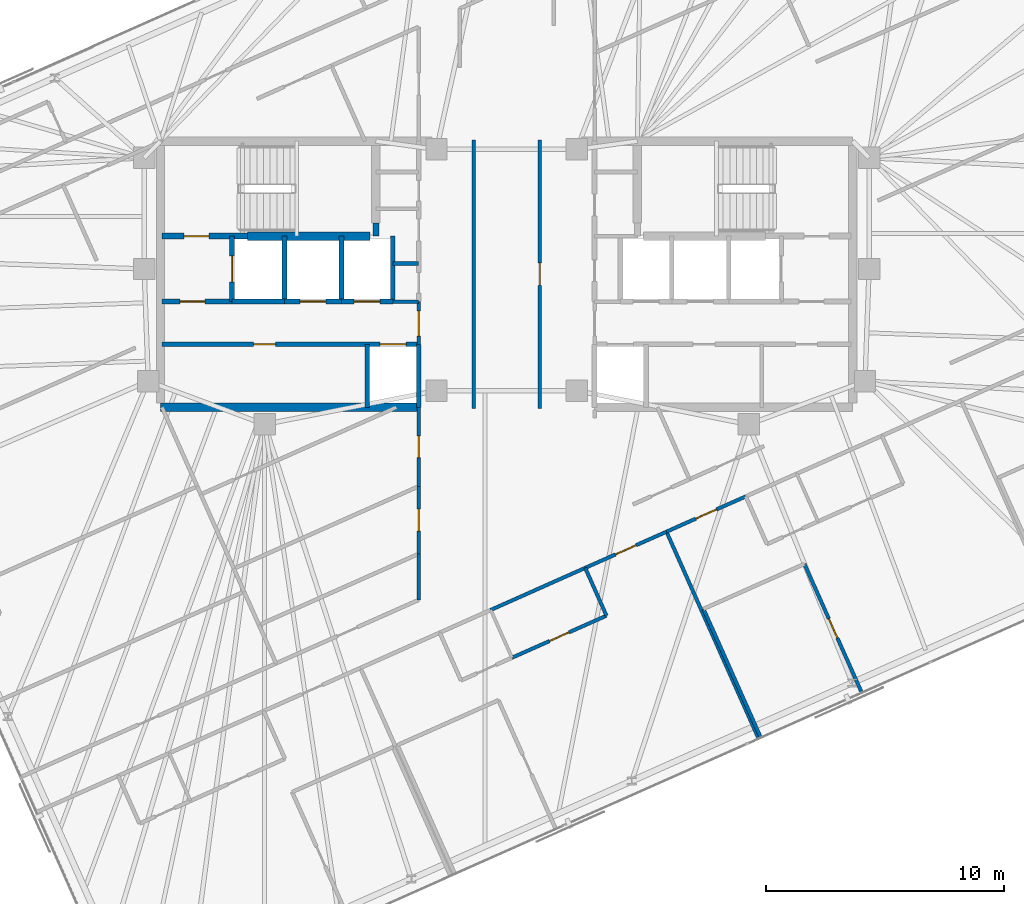
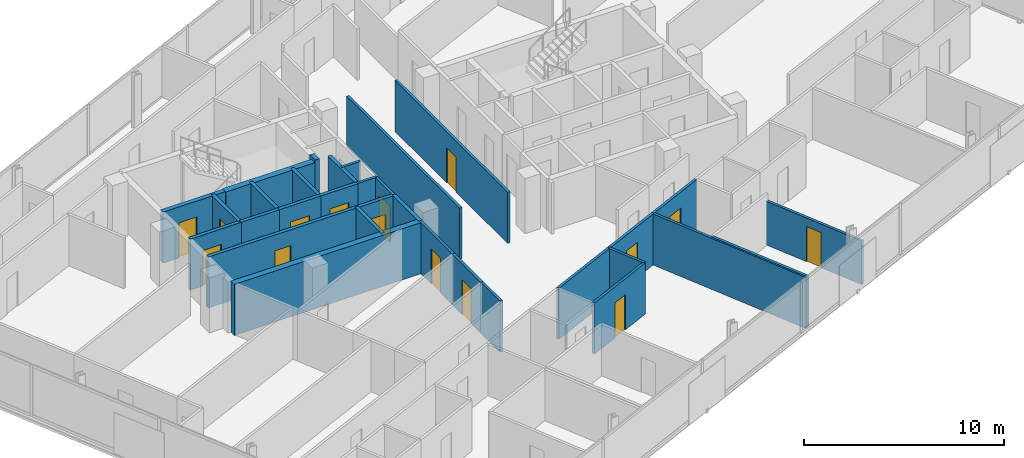
# One storey, part 14 of 19: 31 walls, 15 doors, 15 openings.
"""IFC4 building model written with IfcOpenShell, lengths in metres."""

from ifc_helpers import new_model, si_unit, direction, frame, frame_2d, origin, place, context, subcontext, project, spatial, rectangle, extrude, material, layer, layer_set, type_object, element, fill, save


model = new_model("IFC4")

# Units and contexts
model_context = context("Model", 3, precision=1e-05, world=origin(), true_north=direction((0.0, 1.0)))
body_context = subcontext(model_context, "Body", "Model", "MODEL_VIEW")
ifc_project = project(units=[si_unit("LENGTHUNIT", "METRE"), si_unit("AREAUNIT", "SQUARE_METRE"), si_unit("VOLUMEUNIT", "CUBIC_METRE"), si_unit("PLANEANGLEUNIT", "RADIAN"), si_unit("MASSUNIT", "GRAM", prefix="KILO")], contexts=[model_context])

# Site, building, storey
site_placement = place(None, origin())
site = spatial("IfcSite", under=ifc_project, at=site_placement, CompositionType="ELEMENT")
building_placement = place(site_placement, origin())
building = spatial("IfcBuilding", under=site, at=building_placement, Name="Menara Jurai Vektor", CompositionType="ELEMENT")
storey_placement = place(building_placement, frame((0.0, 0.0, 268.89990234375)))
storey = spatial("IfcBuildingStorey", under=building, at=storey_placement, Name="L72", CompositionType="ELEMENT", Elevation=268.89990234375)

# Wall, opening, door
ifc_material_1 = material(Name="Concrete C40/50", Category="concrete")
ifc_layer_1 = layer(ifc_material_1, 0.25)
ifc_layer_set_1 = layer_set([ifc_layer_1], Name="Concrete C40/50")
wall_type_1 = type_object("IfcWallType", Name="INT-WALL-CORE-250", PredefinedType="STANDARD", material=ifc_layer_set_1)
wall_1_placement = place(storey_placement, frame((-14.5, 1.60009765625, 0.0), z_axis=(0.0, 0.0, 1.0), x_axis=(1.0, 0.0, 0.0)))
wall_1 = element("IfcWall", 1, at=wall_1_placement, inside=storey, type_object=wall_type_1, Name="Interior Wall IW-250 L72", PredefinedType="STANDARD", context=body_context, shape_type="SweptSolid", body=[
    extrude(rectangle(XDim=3.60009765625, YDim=0.25, at=frame_2d((1.800048828125, 0.0))), origin(), (0.0, 0.0, 1.0), 3.125),
])
opening_1_placement = place(wall_1_placement, frame((0.919921875, 0.0, 0.0)))
opening_1 = element("IfcOpeningElement", 2, at=opening_1_placement, cuts=wall_1, Name="Opening D-L72-ST1", PredefinedType="OPENING", context=body_context, shape_type="SweptSolid", body=[
    extrude(rectangle(XDim=1.050048828125, YDim=2.14990234375, at=frame_2d((0.52490234375, 1.074951171875))), frame((0.0, 0.135009765625, 0.0), z_axis=(0.0, -1.0, 0.0), x_axis=(1.0, 0.0, 0.0)), (0.0, 0.0, 1.0), 0.27001953125),
])
ifc_material_2 = material(Name="Fire-Rated Steel Door", Category="steel")
door_type_1 = type_object("IfcDoorType", Name="DR-STAIR-1050", OperationType="NOTDEFINED", PredefinedType="DOOR", material=ifc_material_2)
door_1_placement = place(opening_1_placement, origin())
door_1 = element("IfcDoor", 3, at=door_1_placement, inside=storey, type_object=door_type_1, Name="Exit Stair ST1 Door L72", OperationType="SINGLE_SWING_RIGHT", OverallHeight=2.14990234375, OverallWidth=1.050048828125, PredefinedType="DOOR", context=body_context, shape_type="SweptSolid", body=[
    extrude(rectangle(XDim=1.050048828125, YDim=2.14990234375, at=frame_2d((0.52490234375, 1.074951171875))), frame((0.0, 0.02490234375, 0.0), z_axis=(0.0, -1.0, 0.0), x_axis=(1.0, 0.0, 0.0)), (0.0, 0.0, 1.0), 0.050048828125),
])
fill(opening_1, door_1)

# Wall
wall_2_placement = place(storey_placement, frame((-5.5, 1.60009765625, 0.0), z_axis=(0.0, 0.0, 1.0), x_axis=(0.0, 1.0, 0.0)))
element("IfcWall", 4, at=wall_2_placement, inside=storey, type_object=wall_type_1, Name="Interior Wall IW-250 L72", PredefinedType="STANDARD", context=body_context, shape_type="SweptSolid", body=[
    extrude(rectangle(XDim=0.5498046875, YDim=0.25, at=frame_2d((0.27490234375, 0.0))), origin(), (0.0, 0.0, 1.0), 3.125),
])

# Wall, opening, door
wall_3_placement = place(storey_placement, frame((-11.550048828125, -1.14990234375, 0.0), z_axis=(0.0, 0.0, 1.0), x_axis=(0.0, 1.0, 0.0)))
wall_3 = element("IfcWall", 5, at=wall_3_placement, inside=storey, type_object=wall_type_1, Name="Interior Wall IW-250 L72", PredefinedType="STANDARD", context=body_context, shape_type="SweptSolid", body=[
    extrude(rectangle(XDim=2.75, YDim=0.199951171875, at=frame_2d((1.375, 0.0))), origin(), (0.0, 0.0, 1.0), 3.125),
])
opening_2_placement = place(wall_3_placement, frame((0.824951171875, 0.0, 0.0)))
opening_2 = element("IfcOpeningElement", 6, at=opening_2_placement, cuts=wall_3, Name="Opening LD-L72-FL1", PredefinedType="OPENING", context=body_context, shape_type="SweptSolid", body=[
    extrude(rectangle(XDim=1.10009765625, YDim=2.14990234375, at=frame_2d((0.550048828125, 1.074951171875))), frame((0.0, 0.10986328125, 0.0), z_axis=(0.0, -1.0, 0.0), x_axis=(1.0, 0.0, 0.0)), (0.0, 0.0, 1.0), 0.219970703125),
])
ifc_material_3 = material(Name="Stainless Steel Sliding Lift Landing Door", Category="steel")
door_type_2 = type_object("IfcDoorType", Name="DR-LIFT-FIRE-1100", OperationType="NOTDEFINED", PredefinedType="DOOR", material=ifc_material_3)
door_2_placement = place(opening_2_placement, origin())
door_2 = element("IfcDoor", 7, at=door_2_placement, inside=storey, type_object=door_type_2, Name="Lift Landing Door FL1 L72", OperationType="SLIDING_TO_RIGHT", OverallHeight=2.14990234375, OverallWidth=1.10009765625, PredefinedType="DOOR", context=body_context, shape_type="SweptSolid", body=[
    extrude(rectangle(XDim=1.10009765625, YDim=2.14990234375, at=frame_2d((0.550048828125, 1.074951171875))), frame((0.0, 0.02490234375, 0.0), z_axis=(0.0, -1.0, 0.0), x_axis=(1.0, 0.0, 0.0)), (0.0, 0.0, 1.0), 0.050048828125),
])
fill(opening_2, door_2)

# Wall
wall_4_placement = place(storey_placement, frame((-9.35009765625, -1.14990234375, 0.0), z_axis=(0.0, 0.0, 1.0), x_axis=(0.0, 1.0, 0.0)))
element("IfcWall", 8, at=wall_4_placement, inside=storey, type_object=wall_type_1, Name="Interior Wall IW-250 L72", PredefinedType="STANDARD", context=body_context, shape_type="SweptSolid", body=[
    extrude(rectangle(XDim=2.75, YDim=0.199951171875, at=frame_2d((1.375, 0.0))), origin(), (0.0, 0.0, 1.0), 3.125),
])

# Wall, opening, door
wall_5_placement = place(storey_placement, frame((-14.5, -1.14990234375, 0.0), z_axis=(0.0, 0.0, 1.0), x_axis=(1.0, 0.0, 0.0)))
wall_5 = element("IfcWall", 9, at=wall_5_placement, inside=storey, type_object=wall_type_1, Name="Interior Wall IW-250 L72", PredefinedType="STANDARD", context=body_context, shape_type="SweptSolid", body=[
    extrude(rectangle(XDim=2.949951171875, YDim=0.199951171875, at=frame_2d((1.47509765625, 0.0))), origin(), (0.0, 0.0, 1.0), 3.125),
])
opening_3_placement = place(wall_5_placement, frame((0.75, 0.0, 0.0)))
opening_3 = element("IfcOpeningElement", 10, at=opening_3_placement, cuts=wall_5, Name="Opening D-L72-FFW", PredefinedType="OPENING", context=body_context, shape_type="SweptSolid", body=[
    extrude(rectangle(XDim=1.050048828125, YDim=2.179931640625, at=frame_2d((0.52490234375, 1.08984375))), frame((0.0, 0.10986328125, 0.0), z_axis=(0.0, -1.0, 0.0), x_axis=(1.0, 0.0, 0.0)), (0.0, 0.0, 1.0), 0.219970703125),
])
ifc_material_4 = material(Name="Fire-Rated Timber Door", Category="wood")
door_type_3 = type_object("IfcDoorType", Name="DR-LOBBY-1050", OperationType="NOTDEFINED", PredefinedType="DOOR", material=ifc_material_4)
door_3_placement = place(opening_3_placement, origin())
door_3 = element("IfcDoor", 11, at=door_3_placement, inside=storey, type_object=door_type_3, Name="Fire Lift Lobby Door W L72", OperationType="SINGLE_SWING_RIGHT", OverallHeight=2.179931640625, OverallWidth=1.050048828125, PredefinedType="DOOR", context=body_context, shape_type="SweptSolid", body=[
    extrude(rectangle(XDim=1.050048828125, YDim=2.179931640625, at=frame_2d((0.52490234375, 1.08984375))), frame((0.0, 0.02490234375, 0.0), z_axis=(0.0, -1.0, 0.0), x_axis=(1.0, 0.0, 0.0)), (0.0, 0.0, 1.0), 0.050048828125),
])
fill(opening_3, door_3)

# Wall
wall_6_placement = place(storey_placement, frame((-11.550048828125, -1.14990234375, 0.0), z_axis=(0.0, 0.0, 1.0), x_axis=(1.0, 0.0, 0.0)))
element("IfcWall", 12, at=wall_6_placement, inside=storey, type_object=wall_type_1, Name="Interior Wall IW-250 L72", PredefinedType="STANDARD", context=body_context, shape_type="SweptSolid", body=[
    extrude(rectangle(XDim=2.199951171875, YDim=0.199951171875, at=frame_2d((1.10009765625, 0.0))), origin(), (0.0, 0.0, 1.0), 3.125),
])

# Wall, opening, door
ifc_material_5 = material(Name="Gypsum Fireboard Partition", Category="gypsum")
ifc_layer_2 = layer(ifc_material_5, 0.14990234375)
ifc_layer_set_2 = layer_set([ifc_layer_2], Name="Gypsum Fireboard Partition")
wall_type_2 = type_object("IfcWallType", Name="INT-WALL-CORR-150", PredefinedType="PARTITIONING", material=ifc_layer_set_2)
wall_7_placement = place(storey_placement, frame((-3.699951171875, -2.949951171875, 0.0), z_axis=(0.0, 0.0, 1.0), x_axis=(0.0, 1.0, 0.0)))
wall_7 = element("IfcWall", 13, at=wall_7_placement, inside=storey, type_object=wall_type_2, Name="Interior Wall IW-150 L72", PredefinedType="PARTITIONING", context=body_context, shape_type="SweptSolid", body=[
    extrude(rectangle(XDim=1.800048828125, YDim=0.14990234375, at=frame_2d((0.89990234375, 0.0))), origin(), (0.0, 0.0, 1.0), 3.125),
])
opening_4_placement = place(wall_7_placement, frame((0.35009765625, 0.0, 0.0)))
opening_4 = element("IfcOpeningElement", 14, at=opening_4_placement, cuts=wall_7, Name="Opening D-L72-LLW", PredefinedType="OPENING", context=body_context, shape_type="SweptSolid", body=[
    extrude(rectangle(XDim=1.050048828125, YDim=2.179931640625, at=frame_2d((0.52490234375, 1.08984375))), frame((0.0, 0.0849609375, 0.0), z_axis=(0.0, -1.0, 0.0), x_axis=(1.0, 0.0, 0.0)), (0.0, 0.0, 1.0), 0.169921875),
])
door_4_placement = place(opening_4_placement, origin())
door_4 = element("IfcDoor", 15, at=door_4_placement, inside=storey, type_object=door_type_3, Name="Lift Lobby Corridor Door W L72", OperationType="SINGLE_SWING_LEFT", OverallHeight=2.179931640625, OverallWidth=1.050048828125, PredefinedType="DOOR", context=body_context, shape_type="SweptSolid", body=[
    extrude(rectangle(XDim=1.050048828125, YDim=2.179931640625, at=frame_2d((0.52490234375, 1.08984375))), frame((0.0, 0.02490234375, 0.0), z_axis=(0.0, -1.0, 0.0), x_axis=(1.0, 0.0, 0.0)), (0.0, 0.0, 1.0), 0.050048828125),
])
fill(opening_4, door_4)

# Walls
for number, where, z_axis, x_axis, name in (
    (16, (-4.7900390625, -1.14990234375, 0.0), (0.0, 0.0, 1.0), (1.0, 0.0, 0.0), "Interior Wall IW-150 L72"),
    (17, (-4.7900390625, 0.449951171875, 0.0), (0.0, 0.0, 1.0), (1.0, 0.0, 0.0), "Interior Wall IW-150 L72"),
):
    element("IfcWall", number, at=place(storey_placement, frame(where, z_axis=z_axis, x_axis=x_axis)), inside=storey, type_object=wall_type_2, Name=name, PredefinedType="PARTITIONING", context=body_context, shape_type="SweptSolid", body=[
        extrude(rectangle(XDim=1.090087890625, YDim=0.14990234375, at=frame_2d((0.544921875, 0.0))), origin(), (0.0, 0.0, 1.0), 3.125),
    ])
wall_8_placement = place(storey_placement, frame((-1.390869140625, -5.64990234375, 0.0), z_axis=(0.0, 0.0, 1.0), x_axis=(-2.1605738e-05, 0.999999999767, 0.0)))
element("IfcWall", 18, at=wall_8_placement, inside=storey, type_object=wall_type_2, Name="Interior Wall IW-150 L72", PredefinedType="PARTITIONING", context=body_context, shape_type="SweptSolid", body=[
    extrude(rectangle(XDim=11.2998046875, YDim=0.14990234375, at=frame_2d((5.64990234375, 0.0))), origin(), (0.0, 0.0, 1.0), 3.125),
])

# Wall, opening, door
wall_9_placement = place(storey_placement, frame((1.390869140625, -5.650390625, 0.0), z_axis=(0.0, 0.0, 1.0), x_axis=(4.3206809e-05, 0.999999999067, 0.0)))
wall_9 = element("IfcWall", 19, at=wall_9_placement, inside=storey, type_object=wall_type_2, Name="Interior Wall IW-150 L72", PredefinedType="PARTITIONING", context=body_context, shape_type="SweptSolid", body=[
    extrude(rectangle(XDim=11.301025390625, YDim=0.14990234375, at=frame_2d((5.650390625, 0.0))), origin(), (0.0, 0.0, 1.0), 3.125),
])
opening_5_placement = place(wall_9_placement, frame((5.175537109375, 0.0, 0.0)))
opening_5 = element("IfcOpeningElement", 20, at=opening_5_placement, cuts=wall_9, Name="Opening D72-09", PredefinedType="OPENING", context=body_context, shape_type="SweptSolid", body=[
    extrude(rectangle(XDim=0.949951171875, YDim=2.14990234375, at=frame_2d((0.47509765625, 1.074951171875))), frame((0.0, 0.0849609375, 0.0), z_axis=(0.0, -1.0, 0.0), x_axis=(1.0, 0.0, 0.0)), (0.0, 0.0, 1.0), 0.169921875),
])
ifc_material_6 = material(Name="Solid Core Timber Fire Door", Category="wood")
door_type_4 = type_object("IfcDoorType", Name="DR-ENTRY-950", OperationType="NOTDEFINED", PredefinedType="DOOR", material=ifc_material_6)
door_5_placement = place(opening_5_placement, origin())
door_5 = element("IfcDoor", 21, at=door_5_placement, inside=storey, type_object=door_type_4, Name="Interior Door D72-09", OperationType="SINGLE_SWING_LEFT", OverallHeight=2.14990234375, OverallWidth=0.949951171875, PredefinedType="DOOR", context=body_context, shape_type="SweptSolid", body=[
    extrude(rectangle(XDim=0.949951171875, YDim=2.14990234375, at=frame_2d((0.47509765625, 1.074951171875))), frame((0.0, 0.02490234375, 0.0), z_axis=(0.0, -1.0, 0.0), x_axis=(1.0, 0.0, 0.0)), (0.0, 0.0, 1.0), 0.050048828125),
])
fill(opening_5, door_5)

wall_10_placement = place(storey_placement, frame((3.306396484375, -12.357177734375, 0.0), z_axis=(0.0, 0.0, 1.0), x_axis=(0.913550513402, 0.406725287464, 0.0)))
wall_10 = element("IfcWall", 22, at=wall_10_placement, inside=storey, type_object=wall_type_2, Name="Interior Wall IW-150 L72", PredefinedType="PARTITIONING", context=body_context, shape_type="SweptSolid", body=[
    extrude(rectangle(XDim=3.743896484375, YDim=0.14990234375, at=frame_2d((1.8720703125, 0.0))), origin(), (0.0, 0.0, 1.0), 3.125),
])
opening_6_placement = place(wall_10_placement, frame((1.39697265625, 0.0, 0.0)))
opening_6 = element("IfcOpeningElement", 23, at=opening_6_placement, cuts=wall_10, Name="Opening D72-20", PredefinedType="OPENING", context=body_context, shape_type="SweptSolid", body=[
    extrude(rectangle(XDim=0.949951171875, YDim=2.14990234375, at=frame_2d((0.47509765625, 1.074951171875))), frame((0.0, 0.0849609375, 0.0), z_axis=(0.0, -1.0, 0.0), x_axis=(1.0, 0.0, 0.0)), (0.0, 0.0, 1.0), 0.169921875),
])
door_6_placement = place(opening_6_placement, origin())
door_6 = element("IfcDoor", 24, at=door_6_placement, inside=storey, type_object=door_type_4, Name="Interior Door D72-20", OperationType="SINGLE_SWING_RIGHT", OverallHeight=2.14990234375, OverallWidth=0.949951171875, PredefinedType="DOOR", context=body_context, shape_type="SweptSolid", body=[
    extrude(rectangle(XDim=0.949951171875, YDim=2.14990234375, at=frame_2d((0.47509765625, 1.074951171875))), frame((0.0, 0.02490234375, 0.0), z_axis=(0.0, -1.0, 0.0), x_axis=(1.0, 0.0, 0.0)), (0.0, 0.0, 1.0), 0.050048828125),
])
fill(opening_6, door_6)

# Wall
wall_11_placement = place(storey_placement, frame((-0.66748046875, -14.12646484375, 0.0), z_axis=(0.0, 0.0, 1.0), x_axis=(0.913545193015, 0.406737237438, 0.0)))
element("IfcWall", 25, at=wall_11_placement, inside=storey, type_object=wall_type_2, Name="Interior Wall IW-150 L72", PredefinedType="PARTITIONING", context=body_context, shape_type="SweptSolid", body=[
    extrude(rectangle(XDim=4.349853515625, YDim=0.14990234375, at=frame_2d((2.1748046875, 0.0))), origin(), (0.0, 0.0, 1.0), 3.125),
])

# Wall, opening, door
wall_12_placement = place(storey_placement, frame((6.7265625, -10.83447265625, 0.0), z_axis=(0.0, 0.0, 1.0), x_axis=(0.913543802, 0.40674036169, 0.0)))
wall_12 = element("IfcWall", 26, at=wall_12_placement, inside=storey, type_object=wall_type_2, Name="Interior Wall IW-150 L72", PredefinedType="PARTITIONING", context=body_context, shape_type="SweptSolid", body=[
    extrude(rectangle(XDim=3.650146484375, YDim=0.14990234375, at=frame_2d((1.8251953125, 0.0))), origin(), (0.0, 0.0, 1.0), 3.125),
])
opening_7_placement = place(wall_12_placement, frame((1.35009765625, 0.0, 0.0)))
opening_7 = element("IfcOpeningElement", 27, at=opening_7_placement, cuts=wall_12, Name="Opening D72-24", PredefinedType="OPENING", context=body_context, shape_type="SweptSolid", body=[
    extrude(rectangle(XDim=0.949951171875, YDim=2.14990234375, at=frame_2d((0.47509765625, 1.074951171875))), frame((0.0, 0.0849609375, 0.0), z_axis=(0.0, -1.0, 0.0), x_axis=(1.0, 0.0, 0.0)), (0.0, 0.0, 1.0), 0.169921875),
])
door_7_placement = place(opening_7_placement, origin())
door_7 = element("IfcDoor", 28, at=door_7_placement, inside=storey, type_object=door_type_4, Name="Interior Door D72-24", OperationType="SINGLE_SWING_RIGHT", OverallHeight=2.14990234375, OverallWidth=0.949951171875, PredefinedType="DOOR", context=body_context, shape_type="SweptSolid", body=[
    extrude(rectangle(XDim=0.949951171875, YDim=2.14990234375, at=frame_2d((0.47509765625, 1.074951171875))), frame((0.0, 0.02490234375, 0.0), z_axis=(0.0, -1.0, 0.0), x_axis=(1.0, 0.0, 0.0)), (0.0, 0.0, 1.0), 0.050048828125),
])
fill(opening_7, door_7)

# Wall
wall_13_placement = place(storey_placement, frame((-3.699951171875, -13.703369140625, 0.0), z_axis=(0.0, 0.0, 1.0), x_axis=(0.000126055716, 0.999999992055, 0.0)))
element("IfcWall", 29, at=wall_13_placement, inside=storey, type_object=wall_type_2, Name="Interior Wall IW-150 L72", PredefinedType="PARTITIONING", context=body_context, shape_type="SweptSolid", body=[
    extrude(rectangle(XDim=1.936767578125, YDim=0.14990234375, at=frame_2d((0.96826171875, 0.0))), origin(), (0.0, 0.0, 1.0), 3.125),
])

# Wall, opening, door
wall_14_placement = place(storey_placement, frame((-3.69970703125, -11.7666015625, 0.0), z_axis=(0.0, 0.0, 1.0), x_axis=(-0.000171850831, 0.999999985234, 0.0)))
wall_14 = element("IfcWall", 30, at=wall_14_placement, inside=storey, type_object=wall_type_2, Name="Interior Wall IW-150 L72", PredefinedType="PARTITIONING", context=body_context, shape_type="SweptSolid", body=[
    extrude(rectangle(XDim=2.84130859375, YDim=0.14990234375, at=frame_2d((1.420654296875, 0.0))), origin(), (0.0, 0.0, 1.0), 3.125),
])
opening_8_placement = place(wall_14_placement, frame((0.960693359375, 0.0, 0.0)))
opening_8 = element("IfcOpeningElement", 31, at=opening_8_placement, cuts=wall_14, Name="Opening D72-39", PredefinedType="OPENING", context=body_context, shape_type="SweptSolid", body=[
    extrude(rectangle(XDim=0.919921875, YDim=2.14990234375, at=frame_2d((0.4599609375, 1.074951171875))), frame((0.0, 0.0849609375, 0.0), z_axis=(0.0, -1.0, 0.0), x_axis=(1.0, 0.0, 0.0)), (0.0, 0.0, 1.0), 0.169921875),
])
door_8_placement = place(opening_8_placement, origin())
door_8 = element("IfcDoor", 32, at=door_8_placement, inside=storey, type_object=door_type_4, Name="Interior Door D72-39", OperationType="SINGLE_SWING_LEFT", OverallHeight=2.14990234375, OverallWidth=0.919921875, PredefinedType="DOOR", context=body_context, shape_type="SweptSolid", body=[
    extrude(rectangle(XDim=0.919921875, YDim=2.14990234375, at=frame_2d((0.4599609375, 1.074951171875))), frame((0.0, 0.02490234375, 0.0), z_axis=(0.0, -1.0, 0.0), x_axis=(1.0, 0.0, 0.0)), (0.0, 0.0, 1.0), 0.050048828125),
])
fill(opening_8, door_8)

wall_15_placement = place(storey_placement, frame((-3.7001953125, -8.92529296875, 0.0), z_axis=(0.0, 0.0, 1.0), x_axis=(7.3410659e-05, 0.999999997305, 0.0)))
wall_15 = element("IfcWall", 33, at=wall_15_placement, inside=storey, type_object=wall_type_2, Name="Interior Wall IW-150 L72", PredefinedType="PARTITIONING", context=body_context, shape_type="SweptSolid", body=[
    extrude(rectangle(XDim=3.32568359375, YDim=0.14990234375, at=frame_2d((1.662841796875, 0.0))), origin(), (0.0, 0.0, 1.0), 3.125),
])
opening_9_placement = place(wall_15_placement, frame((1.202880859375, 0.0, 0.0)))
opening_9 = element("IfcOpeningElement", 34, at=opening_9_placement, cuts=wall_15, Name="Opening D72-40", PredefinedType="OPENING", context=body_context, shape_type="SweptSolid", body=[
    extrude(rectangle(XDim=0.919921875, YDim=2.14990234375, at=frame_2d((0.4599609375, 1.074951171875))), frame((0.0, 0.0849609375, 0.0), z_axis=(0.0, -1.0, 0.0), x_axis=(1.0, 0.0, 0.0)), (0.0, 0.0, 1.0), 0.169921875),
])
door_9_placement = place(opening_9_placement, origin())
door_9 = element("IfcDoor", 35, at=door_9_placement, inside=storey, type_object=door_type_4, Name="Interior Door D72-40", OperationType="SINGLE_SWING_RIGHT", OverallHeight=2.14990234375, OverallWidth=0.919921875, PredefinedType="DOOR", context=body_context, shape_type="SweptSolid", body=[
    extrude(rectangle(XDim=0.919921875, YDim=2.14990234375, at=frame_2d((0.4599609375, 1.074951171875))), frame((0.0, 0.02490234375, 0.0), z_axis=(0.0, -1.0, 0.0), x_axis=(1.0, 0.0, 0.0)), (0.0, 0.0, 1.0), 0.050048828125),
])
fill(opening_9, door_9)

wall_16_placement = place(storey_placement, frame((0.227294921875, -16.13623046875, 0.0), z_axis=(0.0, 0.0, 1.0), x_axis=(0.913545193015, 0.406737237438, 0.0)))
wall_16 = element("IfcWall", 36, at=wall_16_placement, inside=storey, type_object=wall_type_2, Name="Interior Wall IW-150 L72", PredefinedType="PARTITIONING", context=body_context, shape_type="SweptSolid", body=[
    extrude(rectangle(XDim=4.349853515625, YDim=0.14990234375, at=frame_2d((2.1748046875, 0.0))), origin(), (0.0, 0.0, 1.0), 3.125),
])
opening_10_placement = place(wall_16_placement, frame((1.72509765625, 0.0, 0.0)))
opening_10 = element("IfcOpeningElement", 37, at=opening_10_placement, cuts=wall_16, Name="Opening D72-22", PredefinedType="OPENING", context=body_context, shape_type="SweptSolid", body=[
    extrude(rectangle(XDim=0.89990234375, YDim=2.14990234375, at=frame_2d((0.449951171875, 1.074951171875))), frame((0.0, 0.0849609375, 0.0), z_axis=(0.0, -1.0, 0.0), x_axis=(1.0, 0.0, 0.0)), (0.0, 0.0, 1.0), 0.169921875),
])
ifc_material_7 = material(Name="Acoustic Timber Interior Door", Category="wood")
door_type_5 = type_object("IfcDoorType", Name="DR-ROOM-900", OperationType="NOTDEFINED", PredefinedType="DOOR", material=ifc_material_7)
door_10_placement = place(opening_10_placement, origin())
door_10 = element("IfcDoor", 38, at=door_10_placement, inside=storey, type_object=door_type_5, Name="Interior Door D72-22", OperationType="SINGLE_SWING_RIGHT", OverallHeight=2.14990234375, OverallWidth=0.89990234375, PredefinedType="DOOR", context=body_context, shape_type="SweptSolid", body=[
    extrude(rectangle(XDim=0.89990234375, YDim=2.14990234375, at=frame_2d((0.449951171875, 1.074951171875))), frame((0.0, 0.02490234375, 0.0), z_axis=(0.0, -1.0, 0.0), x_axis=(1.0, 0.0, 0.0)), (0.0, 0.0, 1.0), 0.050048828125),
])
fill(opening_10, door_10)

# Walls
wall_17_placement = place(storey_placement, frame((4.201171875, -14.366943359375, 0.0), z_axis=(0.0, 0.0, 1.0), x_axis=(-0.406725294076, 0.913550510459, 0.0)))
element("IfcWall", 39, at=wall_17_placement, inside=storey, type_object=wall_type_2, Name="Interior Wall IW-150 L72", PredefinedType="PARTITIONING", context=body_context, shape_type="SweptSolid", body=[
    extrude(rectangle(XDim=2.199951171875, YDim=0.14990234375, at=frame_2d((1.10009765625, 0.0))), origin(), (0.0, 0.0, 1.0), 3.125),
])
wall_18_placement = place(storey_placement, frame((10.60498046875, -19.544921875, 0.0), z_axis=(0.0, 0.0, 1.0), x_axis=(-0.406760810574, 0.913534697196, 0.0)))
element("IfcWall", 40, at=wall_18_placement, inside=storey, type_object=wall_type_2, Name="Interior Wall IW-150 L72", PredefinedType="PARTITIONING", context=body_context, shape_type="SweptSolid", body=[
    extrude(rectangle(XDim=9.534912109375, YDim=0.14990234375, at=frame_2d((4.767578125, 0.0))), origin(), (0.0, 0.0, 1.0), 3.125),
])
wall_19_placement = place(storey_placement, frame((10.6962890625, -19.50439453125, 0.0), z_axis=(0.0, 0.0, 1.0), x_axis=(-0.406749048544, 0.913539934271, 0.0)))
element("IfcWall", 41, at=wall_19_placement, inside=storey, type_object=wall_type_2, Name="Interior Wall IW-150 L72", PredefinedType="PARTITIONING", context=body_context, shape_type="SweptSolid", body=[
    extrude(rectangle(XDim=5.93505859375, YDim=0.14990234375, at=frame_2d((2.967529296875, 0.0))), origin(), (0.0, 0.0, 1.0), 3.125),
])

# Wall, opening, door
ifc_layer_3 = layer(ifc_material_5, 0.14990234375)
ifc_layer_set_3 = layer_set([ifc_layer_3], Name="Gypsum Fireboard Partition")
wall_type_3 = type_object("IfcWallType", Name="INT-WALL-CORR-150-H1", PredefinedType="PARTITIONING", material=ifc_layer_set_3)
wall_20_placement = place(storey_placement, frame((14.944091796875, -17.613037109375, 0.0), z_axis=(0.0, 0.0, 1.0), x_axis=(-0.406714717734, 0.913555219119, 0.0)))
wall_20 = element("IfcWall", 42, at=wall_20_placement, inside=storey, type_object=wall_type_3, Name="Interior Wall IW-150 L72", PredefinedType="PARTITIONING", context=body_context, shape_type="SweptSolid", body=[
    extrude(rectangle(XDim=5.934814453125, YDim=0.14990234375, at=frame_2d((2.96728515625, 0.0))), origin(), (0.0, 0.0, 1.0), 2.675048828125),
])
opening_11_placement = place(wall_20_placement, frame((2.517578125, 0.0, 0.0)))
opening_11 = element("IfcOpeningElement", 43, at=opening_11_placement, cuts=wall_20, Name="Opening D72-27", PredefinedType="OPENING", context=body_context, shape_type="SweptSolid", body=[
    extrude(rectangle(XDim=0.89990234375, YDim=2.14990234375, at=frame_2d((0.449951171875, 1.074951171875))), frame((0.0, 0.0849609375, 0.0), z_axis=(0.0, -1.0, 0.0), x_axis=(1.0, 0.0, 0.0)), (0.0, 0.0, 1.0), 0.169921875),
])
door_11_placement = place(opening_11_placement, origin())
door_11 = element("IfcDoor", 44, at=door_11_placement, inside=storey, type_object=door_type_5, Name="Interior Door D72-27", OperationType="SINGLE_SWING_LEFT", OverallHeight=2.14990234375, OverallWidth=0.89990234375, PredefinedType="DOOR", context=body_context, shape_type="SweptSolid", body=[
    extrude(rectangle(XDim=0.89990234375, YDim=2.14990234375, at=frame_2d((0.449951171875, 1.074951171875))), frame((0.0, 0.02490234375, 0.0), z_axis=(0.0, -1.0, 0.0), x_axis=(1.0, 0.0, 0.0)), (0.0, 0.0, 1.0), 0.050048828125),
])
fill(opening_11, door_11)

# Walls
ifc_layer_4 = layer(ifc_material_1, 0.199951171875)
ifc_layer_set_4 = layer_set([ifc_layer_4], Name="Concrete C40/50")
wall_type_4 = type_object("IfcWallType", Name="INT-WALL-SHAFT-200", PredefinedType="STANDARD", material=ifc_layer_set_4)
wall_21_placement = place(storey_placement, frame((-3.699951171875, -5.60009765625, 0.0), z_axis=(0.0, 0.0, 1.0), x_axis=(0.0, 1.0, 0.0)))
element("IfcWall", 45, at=wall_21_placement, inside=storey, type_object=wall_type_4, Name="Interior Wall IW-200 L72", PredefinedType="STANDARD", context=body_context, shape_type="SweptSolid", body=[
    extrude(rectangle(XDim=2.650146484375, YDim=0.199951171875, at=frame_2d((1.3251953125, 0.0))), origin(), (0.0, 0.0, 1.0), 3.125),
])
wall_22_placement = place(storey_placement, frame((-6.949951171875, -1.14990234375, 0.0), z_axis=(0.0, 0.0, 1.0), x_axis=(0.0, 1.0, 0.0)))
element("IfcWall", 46, at=wall_22_placement, inside=storey, type_object=wall_type_4, Name="Interior Wall IW-200 L72", PredefinedType="STANDARD", context=body_context, shape_type="SweptSolid", body=[
    extrude(rectangle(XDim=2.75, YDim=0.199951171875, at=frame_2d((1.375, 0.0))), origin(), (0.0, 0.0, 1.0), 3.125),
])

# Wall, opening, door
wall_23_placement = place(storey_placement, frame((-9.35009765625, -1.14990234375, 0.0), z_axis=(0.0, 0.0, 1.0), x_axis=(1.0, 0.0, 0.0)))
wall_23 = element("IfcWall", 47, at=wall_23_placement, inside=storey, type_object=wall_type_4, Name="Interior Wall IW-200 L72", PredefinedType="STANDARD", context=body_context, shape_type="SweptSolid", body=[
    extrude(rectangle(XDim=2.400146484375, YDim=0.199951171875, at=frame_2d((1.2001953125, 0.0))), origin(), (0.0, 0.0, 1.0), 3.125),
])
opening_12_placement = place(wall_23_placement, frame((0.64990234375, 0.0, 0.0)))
opening_12 = element("IfcOpeningElement", 48, at=opening_12_placement, cuts=wall_23, Name="Opening LD-L72-SVL1", PredefinedType="OPENING", context=body_context, shape_type="SweptSolid", body=[
    extrude(rectangle(XDim=1.10009765625, YDim=2.14990234375, at=frame_2d((0.550048828125, 1.074951171875))), frame((0.0, 0.10986328125, 0.0), z_axis=(0.0, -1.0, 0.0), x_axis=(1.0, 0.0, 0.0)), (0.0, 0.0, 1.0), 0.219970703125),
])
ifc_material_8 = material(Name="Anodised Stainless Sliding Lift Landing Door", Category="steel")
door_type_6 = type_object("IfcDoorType", Name="DR-LIFT-PASS-1100", OperationType="NOTDEFINED", PredefinedType="DOOR", material=ifc_material_8)
door_12_placement = place(opening_12_placement, origin())
door_12 = element("IfcDoor", 49, at=door_12_placement, inside=storey, type_object=door_type_6, Name="Lift Landing Door SVL1 L72", OperationType="SLIDING_TO_RIGHT", OverallHeight=2.14990234375, OverallWidth=1.10009765625, PredefinedType="DOOR", context=body_context, shape_type="SweptSolid", body=[
    extrude(rectangle(XDim=1.10009765625, YDim=2.14990234375, at=frame_2d((0.550048828125, 1.074951171875))), frame((0.0, 0.02490234375, 0.0), z_axis=(0.0, -1.0, 0.0), x_axis=(1.0, 0.0, 0.0)), (0.0, 0.0, 1.0), 0.050048828125),
])
fill(opening_12, door_12)

# Wall
wall_24_placement = place(storey_placement, frame((-4.7900390625, -1.14990234375, 0.0), z_axis=(0.0, 0.0, 1.0), x_axis=(0.0, 1.0, 0.0)))
element("IfcWall", 50, at=wall_24_placement, inside=storey, type_object=wall_type_4, Name="Interior Wall IW-200 L72", PredefinedType="STANDARD", context=body_context, shape_type="SweptSolid", body=[
    extrude(rectangle(XDim=2.75, YDim=0.199951171875, at=frame_2d((1.375, 0.0))), origin(), (0.0, 0.0, 1.0), 3.125),
])

# Wall, opening, door
wall_25_placement = place(storey_placement, frame((-6.949951171875, -1.14990234375, 0.0), z_axis=(0.0, 0.0, 1.0), x_axis=(1.0, 0.0, 0.0)))
wall_25 = element("IfcWall", 51, at=wall_25_placement, inside=storey, type_object=wall_type_4, Name="Interior Wall IW-200 L72", PredefinedType="STANDARD", context=body_context, shape_type="SweptSolid", body=[
    extrude(rectangle(XDim=2.159912109375, YDim=0.199951171875, at=frame_2d((1.080078125, 0.0))), origin(), (0.0, 0.0, 1.0), 3.125),
])
opening_13_placement = place(wall_25_placement, frame((0.530029296875, 0.0, 0.0)))
opening_13 = element("IfcOpeningElement", 52, at=opening_13_placement, cuts=wall_25, Name="Opening LD-L72-PH2", PredefinedType="OPENING", context=body_context, shape_type="SweptSolid", body=[
    extrude(rectangle(XDim=1.10009765625, YDim=2.14990234375, at=frame_2d((0.550048828125, 1.074951171875))), frame((0.0, 0.10986328125, 0.0), z_axis=(0.0, -1.0, 0.0), x_axis=(1.0, 0.0, 0.0)), (0.0, 0.0, 1.0), 0.219970703125),
])
door_13_placement = place(opening_13_placement, origin())
door_13 = element("IfcDoor", 53, at=door_13_placement, inside=storey, type_object=door_type_6, Name="Lift Landing Door PH2 L72", OperationType="SLIDING_TO_RIGHT", OverallHeight=2.14990234375, OverallWidth=1.10009765625, PredefinedType="DOOR", context=body_context, shape_type="SweptSolid", body=[
    extrude(rectangle(XDim=1.10009765625, YDim=2.14990234375, at=frame_2d((0.550048828125, 1.074951171875))), frame((0.0, 0.02490234375, 0.0), z_axis=(0.0, -1.0, 0.0), x_axis=(1.0, 0.0, 0.0)), (0.0, 0.0, 1.0), 0.050048828125),
])
fill(opening_13, door_13)

# Wall, openings, doors
wall_26_placement = place(storey_placement, frame((-14.5, -2.949951171875, 0.0), z_axis=(0.0, 0.0, 1.0), x_axis=(1.0, 0.0, 0.0)))
wall_26 = element("IfcWall", 54, at=wall_26_placement, inside=storey, type_object=wall_type_4, Name="Interior Wall IW-200 L72", PredefinedType="STANDARD", context=body_context, shape_type="SweptSolid", body=[
    extrude(rectangle(XDim=10.800048828125, YDim=0.199951171875, at=frame_2d((5.39990234375, 0.0))), origin(), (0.0, 0.0, 1.0), 3.125),
])
opening_14_placement = place(wall_26_placement, frame((9.169921875, 0.0, 0.0)))
opening_14 = element("IfcOpeningElement", 55, at=opening_14_placement, cuts=wall_26, Name="Opening LD-L72-PH1", PredefinedType="OPENING", context=body_context, shape_type="SweptSolid", body=[
    extrude(rectangle(XDim=1.10009765625, YDim=2.14990234375, at=frame_2d((0.550048828125, 1.074951171875))), frame((0.0, 0.10986328125, 0.0), z_axis=(0.0, -1.0, 0.0), x_axis=(1.0, 0.0, 0.0)), (0.0, 0.0, 1.0), 0.219970703125),
])
opening_15_placement = place(wall_26_placement, frame((3.860107421875, 0.0, 0.0)))
opening_15 = element("IfcOpeningElement", 56, at=opening_15_placement, cuts=wall_26, Name="Opening D72-01", PredefinedType="OPENING", context=body_context, shape_type="SweptSolid", body=[
    extrude(rectangle(XDim=0.919921875, YDim=2.14990234375, at=frame_2d((0.4599609375, 1.074951171875))), frame((0.0, 0.10986328125, 0.0), z_axis=(0.0, -1.0, 0.0), x_axis=(1.0, 0.0, 0.0)), (0.0, 0.0, 1.0), 0.219970703125),
])
door_14_placement = place(opening_15_placement, origin())
door_14 = element("IfcDoor", 57, at=door_14_placement, inside=storey, type_object=door_type_4, Name="Interior Door D72-01", OperationType="SINGLE_SWING_LEFT", OverallHeight=2.14990234375, OverallWidth=0.919921875, PredefinedType="DOOR", context=body_context, shape_type="SweptSolid", body=[
    extrude(rectangle(XDim=0.919921875, YDim=2.14990234375, at=frame_2d((0.4599609375, 1.074951171875))), frame((0.0, 0.02490234375, 0.0), z_axis=(0.0, -1.0, 0.0), x_axis=(1.0, 0.0, 0.0)), (0.0, 0.0, 1.0), 0.050048828125),
])
fill(opening_15, door_14)
door_15_placement = place(opening_14_placement, origin())
door_15 = element("IfcDoor", 58, at=door_15_placement, inside=storey, type_object=door_type_6, Name="Lift Landing Door PH1 L72", OperationType="SLIDING_TO_RIGHT", OverallHeight=2.14990234375, OverallWidth=1.10009765625, PredefinedType="DOOR", context=body_context, shape_type="SweptSolid", body=[
    extrude(rectangle(XDim=1.10009765625, YDim=2.14990234375, at=frame_2d((0.550048828125, 1.074951171875))), frame((0.0, 0.02490234375, 0.0), z_axis=(0.0, -1.0, 0.0), x_axis=(1.0, 0.0, 0.0)), (0.0, 0.0, 1.0), 0.050048828125),
])
fill(opening_14, door_15)

# Walls
wall_27_placement = place(storey_placement, frame((-5.860107421875, -5.60009765625, 0.0), z_axis=(0.0, 0.0, 1.0), x_axis=(0.0, 1.0, 0.0)))
element("IfcWall", 59, at=wall_27_placement, inside=storey, type_object=wall_type_4, Name="Interior Wall IW-200 L72", PredefinedType="STANDARD", context=body_context, shape_type="SweptSolid", body=[
    extrude(rectangle(XDim=2.650146484375, YDim=0.199951171875, at=frame_2d((1.3251953125, 0.0))), origin(), (0.0, 0.0, 1.0), 3.125),
])
ifc_material_9 = material(Name="Concrete C50/60", Category="concrete")
ifc_layer_5 = layer(ifc_material_9, 0.35009765625)
ifc_layer_set_5 = layer_set([ifc_layer_5], Name="Concrete C50/60")
wall_type_5 = type_object("IfcWallType", Name="STR-WALL-CORE350", PredefinedType="SHEAR", material=ifc_layer_set_5)
wall_28_placement = place(storey_placement, frame((-14.56005859375, -5.60009765625, 0.0), z_axis=(0.0, 0.0, 1.0), x_axis=(1.0, 0.0, 0.0)))
element("IfcWall", 60, at=wall_28_placement, inside=storey, type_object=wall_type_5, Name="Core Shear Wall CW-W-S L72", PredefinedType="SHEAR", context=body_context, shape_type="SweptSolid", body=[
    extrude(rectangle(XDim=10.860107421875, YDim=0.35009765625, at=frame_2d((5.43017578125, 0.0))), origin(), (0.0, 0.0, 1.0), 3.125),
])
wall_29_placement = place(storey_placement, frame((-10.89990234375, 1.60009765625, 0.0), z_axis=(0.0, 0.0, 1.0), x_axis=(1.0, 0.0, 0.0)))
element("IfcWall", 61, at=wall_29_placement, inside=storey, type_object=wall_type_5, Name="Core Shear Wall CW-W-STS L72", PredefinedType="SHEAR", context=body_context, shape_type="SweptSolid", body=[
    extrude(rectangle(XDim=5.14990234375, YDim=0.35009765625, at=frame_2d((2.574951171875, 0.0))), origin(), (0.0, 0.0, 1.0), 3.125),
])

save(model, "model.ifc")
